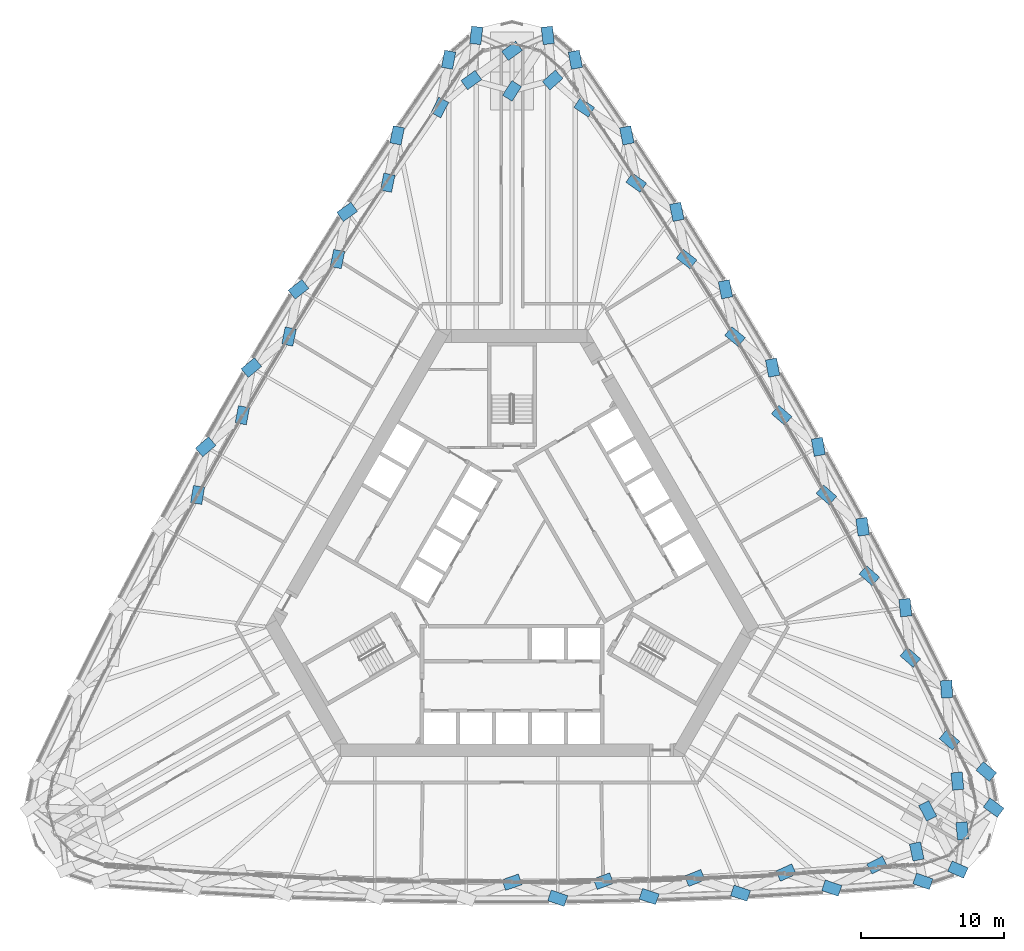
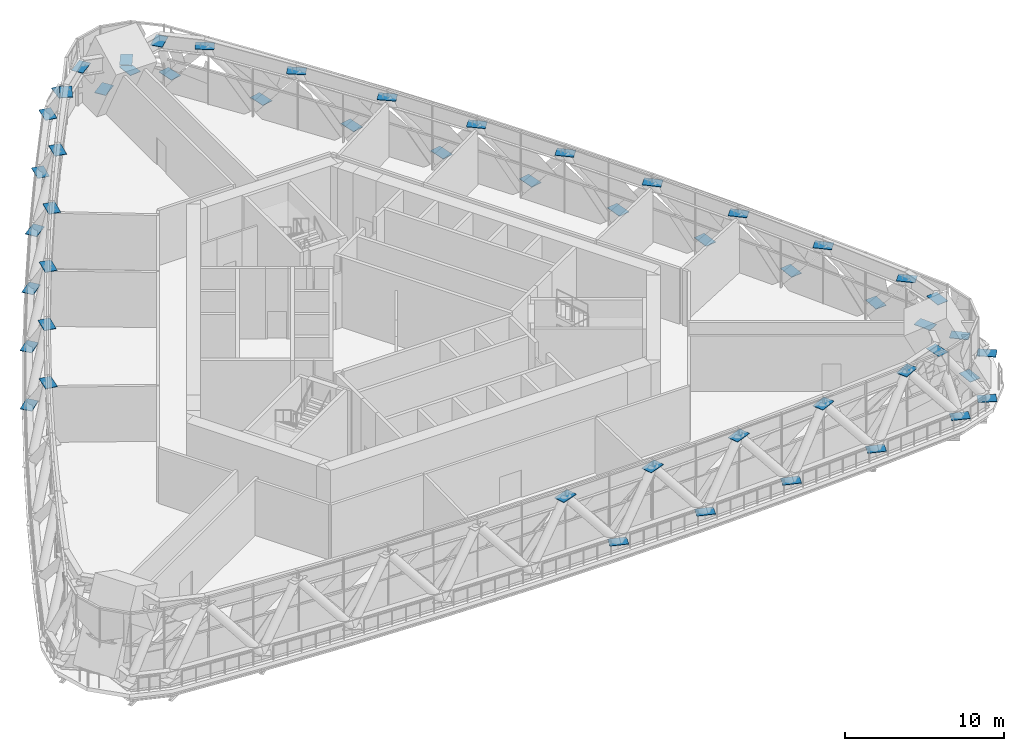
# One storey, part 32 of 43: 53 discrete accessories.
"""IFC4 building model written with IfcOpenShell, lengths in metres."""

from ifc_helpers import new_model, si_unit, direction, frame, origin, place, context, subcontext, project, spatial, polyline, outline, extrude, material, layer, layer_set, type_object, element, save


model = new_model("IFC4")

# Units and contexts
model_context = context("Model", 3, precision=1e-05, world=origin(), true_north=direction((0.0, 1.0)))
body_context = subcontext(model_context, "Body", "Model", "MODEL_VIEW")
ifc_project = project(units=[si_unit("LENGTHUNIT", "METRE"), si_unit("AREAUNIT", "SQUARE_METRE"), si_unit("VOLUMEUNIT", "CUBIC_METRE"), si_unit("PLANEANGLEUNIT", "RADIAN"), si_unit("MASSUNIT", "GRAM", prefix="KILO")], contexts=[model_context])

# Site, building, storey
site_placement = place(None, origin())
site = spatial("IfcSite", under=ifc_project, at=site_placement, CompositionType="ELEMENT")
building_placement = place(site_placement, origin())
building = spatial("IfcBuilding", under=site, at=building_placement, Name="Mestral Congress Tower", CompositionType="ELEMENT")
storey_placement = place(building_placement, frame((0.0, 0.0, 78.300048828125)))
storey = spatial("IfcBuildingStorey", under=building, at=storey_placement, Name="L18", CompositionType="ELEMENT", Elevation=78.300048828125)

# Discrete accessories
ifc_material = material(Name="Steel S355", Category="steel")
ifc_layer = layer(ifc_material, 0.034912109375)
ifc_layer_set = layer_set([ifc_layer], Name="Steel S355")
discrete_accessory_type = type_object("IfcDiscreteAccessoryType", Name="Brace end gusset plate 35 S355", PredefinedType="BRACKET", material=ifc_layer_set)
placement_1 = place(storey_placement, frame((0.0, 0.0, 4.532470703125)))
element("IfcDiscreteAccessory", 1, at=placement_1, inside=storey, type_object=discrete_accessory_type, Name="Brace end gusset plate 35 S355", PredefinedType="BRACKET", context=body_context, shape_type="SweptSolid", body=[
    extrude(outline(polyline([(-21.71875, 4.650146484375), (-21.516845703125, 5.853271484375), (-22.298828125, 5.984619140625), (-22.500732421875, 4.781494140625), (-21.71875, 4.650146484375)])), origin(), (0.0, 0.0, 1.0), 0.034912109375),
])
placement_2 = place(storey_placement, frame((0.0, 0.0, 0.58251953125)))
element("IfcDiscreteAccessory", 2, at=placement_2, inside=storey, type_object=discrete_accessory_type, Name="Brace end gusset plate 35 S355", PredefinedType="BRACKET", context=body_context, shape_type="SweptSolid", body=[
    extrude(outline(polyline([(-21.647216796875, 7.987060546875), (-20.722412109375, 8.78271484375), (-21.23974609375, 9.3837890625), (-22.164306640625, 8.587890625), (-21.647216796875, 7.987060546875)])), origin(), (0.0, 0.0, 1.0), 0.034912109375),
])
element("IfcDiscreteAccessory", 3, at=placement_1, inside=storey, type_object=discrete_accessory_type, Name="Brace end gusset plate 35 S355", PredefinedType="BRACKET", context=body_context, shape_type="SweptSolid", body=[
    extrude(outline(polyline([(-18.59765625, 10.2236328125), (-18.370849609375, 11.42236328125), (-19.150146484375, 11.56982421875), (-19.376953125, 10.37109375), (-18.59765625, 10.2236328125)])), origin(), (0.0, 0.0, 1.0), 0.034912109375),
])
element("IfcDiscreteAccessory", 4, at=placement_2, inside=storey, type_object=discrete_accessory_type, Name="Brace end gusset plate 35 S355", PredefinedType="BRACKET", context=body_context, shape_type="SweptSolid", body=[
    extrude(outline(polyline([(-18.461669921875, 13.53369140625), (-17.5205078125, 14.310302734375), (-18.025390625, 14.922119140625), (-18.96630859375, 14.1455078125), (-18.461669921875, 13.53369140625)])), origin(), (0.0, 0.0, 1.0), 0.034912109375),
])
element("IfcDiscreteAccessory", 5, at=placement_1, inside=storey, type_object=discrete_accessory_type, Name="Brace end gusset plate 35 S355", PredefinedType="BRACKET", context=body_context, shape_type="SweptSolid", body=[
    extrude(outline(polyline([(-15.34130859375, 15.72509765625), (-15.10009765625, 16.9208984375), (-15.877197265625, 17.077880859375), (-16.11865234375, 15.882080078125), (-15.34130859375, 15.72509765625)])), origin(), (0.0, 0.0, 1.0), 0.034912109375),
])
element("IfcDiscreteAccessory", 6, at=placement_2, inside=storey, type_object=discrete_accessory_type, Name="Brace end gusset plate 35 S355", PredefinedType="BRACKET", context=body_context, shape_type="SweptSolid", body=[
    extrude(outline(polyline([(-15.1796875, 19.022705078125), (-14.216796875, 19.771484375), (-14.703369140625, 20.397705078125), (-15.66650390625, 19.648681640625), (-15.1796875, 19.022705078125)])), origin(), (0.0, 0.0, 1.0), 0.034912109375),
])
element("IfcDiscreteAccessory", 7, at=placement_1, inside=storey, type_object=discrete_accessory_type, Name="Brace end gusset plate 35 S355", PredefinedType="BRACKET", context=body_context, shape_type="SweptSolid", body=[
    extrude(outline(polyline([(-11.951416015625, 21.15087890625), (-11.705810546875, 22.34619140625), (-12.482666015625, 22.505615234375), (-12.72802734375, 21.310546875), (-11.951416015625, 21.15087890625)])), origin(), (0.0, 0.0, 1.0), 0.034912109375),
])
element("IfcDiscreteAccessory", 8, at=placement_2, inside=storey, type_object=discrete_accessory_type, Name="Brace end gusset plate 35 S355", PredefinedType="BRACKET", context=body_context, shape_type="SweptSolid", body=[
    extrude(outline(polyline([(-11.802490234375, 24.452392578125), (-10.812255859375, 25.1650390625), (-11.275390625, 25.80859375), (-12.265625, 25.09619140625), (-11.802490234375, 24.452392578125)])), origin(), (0.0, 0.0, 1.0), 0.034912109375),
])
element("IfcDiscreteAccessory", 9, at=placement_1, inside=storey, type_object=discrete_accessory_type, Name="Brace end gusset plate 35 S355", PredefinedType="BRACKET", context=body_context, shape_type="SweptSolid", body=[
    extrude(outline(polyline([(-8.429443359375, 26.498291015625), (-8.1904296875, 27.69482421875), (-8.968017578125, 27.85009765625), (-9.20703125, 26.65380859375), (-8.429443359375, 26.498291015625)])), origin(), (0.0, 0.0, 1.0), 0.034912109375),
])
element("IfcDiscreteAccessory", 10, at=placement_2, inside=storey, type_object=discrete_accessory_type, Name="Brace end gusset plate 35 S355", PredefinedType="BRACKET", context=body_context, shape_type="SweptSolid", body=[
    extrude(outline(polyline([(-8.305908203125, 31.1630859375), (-8.544921875, 29.966796875), (-7.767333984375, 29.811279296875), (-7.5283203125, 31.0078125), (-8.305908203125, 31.1630859375)])), origin(), (0.0, 0.0, 1.0), 0.034912109375),
])
element("IfcDiscreteAccessory", 11, at=placement_1, inside=storey, type_object=discrete_accessory_type, Name="Brace end gusset plate 35 S355", PredefinedType="BRACKET", context=body_context, shape_type="SweptSolid", body=[
    extrude(outline(polyline([(-4.977783203125, 31.713134765625), (-4.427001953125, 32.8017578125), (-5.134765625, 33.159912109375), (-5.685546875, 32.0712890625), (-4.977783203125, 31.713134765625)])), origin(), (0.0, 0.0, 1.0), 0.034912109375),
])
element("IfcDiscreteAccessory", 12, at=placement_2, inside=storey, type_object=discrete_accessory_type, Name="Brace end gusset plate 35 S355", PredefinedType="BRACKET", context=body_context, shape_type="SweptSolid", body=[
    extrude(outline(polyline([(-4.714599609375, 36.4501953125), (-4.937255859375, 35.250732421875), (-4.157470703125, 35.106201171875), (-3.934814453125, 36.3056640625), (-4.714599609375, 36.4501953125)])), origin(), (0.0, 0.0, 1.0), 0.034912109375),
])
element("IfcDiscreteAccessory", 13, at=placement_1, inside=storey, type_object=discrete_accessory_type, Name="Brace end gusset plate 35 S355", PredefinedType="BRACKET", context=body_context, shape_type="SweptSolid", body=[
    extrude(outline(polyline([(-3.110107421875, 33.67919921875), (-2.118896484375, 34.390380859375), (-2.581298828125, 35.03466796875), (-3.572509765625, 34.323486328125), (-3.110107421875, 33.67919921875)])), origin(), (0.0, 0.0, 1.0), 0.034912109375),
])
element("IfcDiscreteAccessory", 14, at=placement_2, inside=storey, type_object=discrete_accessory_type, Name="Brace end gusset plate 35 S355", PredefinedType="BRACKET", context=body_context, shape_type="SweptSolid", body=[
    extrude(outline(polyline([(-2.830810546875, 38.13330078125), (-2.963623046875, 36.92041015625), (-2.175537109375, 36.834228515625), (-2.042724609375, 38.046875), (-2.830810546875, 38.13330078125)])), origin(), (0.0, 0.0, 1.0), 0.034912109375),
])
element("IfcDiscreteAccessory", 15, at=placement_1, inside=storey, type_object=discrete_accessory_type, Name="Brace end gusset plate 35 S355", PredefinedType="BRACKET", context=body_context, shape_type="SweptSolid", body=[
    extrude(outline(polyline([(0.44482421875, -21.218017578125), (-0.706787109375, -21.620849609375), (-0.44482421875, -22.369384765625), (0.706787109375, -21.96630859375), (0.44482421875, -21.218017578125)])), origin(), (0.0, 0.0, 1.0), 0.034912109375),
])
element("IfcDiscreteAccessory", 16, at=placement_1, inside=storey, type_object=discrete_accessory_type, Name="Brace end gusset plate 35 S355", PredefinedType="BRACKET", context=body_context, shape_type="SweptSolid", body=[
    extrude(outline(polyline([(0.0029296875, 32.87109375), (0.663818359375, 33.896484375), (-0.0029296875, 34.325927734375), (-0.663818359375, 33.300537109375), (0.0029296875, 32.87109375)])), origin(), (0.0, 0.0, 1.0), 0.034912109375),
])
element("IfcDiscreteAccessory", 17, at=placement_2, inside=storey, type_object=discrete_accessory_type, Name="Brace end gusset plate 35 S355", PredefinedType="BRACKET", context=body_context, shape_type="SweptSolid", body=[
    extrude(outline(polyline([(0.264404296875, 37.07666015625), (-0.726806640625, 36.365478515625), (-0.264404296875, 35.72119140625), (0.726806640625, 36.432373046875), (0.264404296875, 37.07666015625)])), origin(), (0.0, 0.0, 1.0), 0.034912109375),
])
element("IfcDiscreteAccessory", 18, at=placement_2, inside=storey, type_object=discrete_accessory_type, Name="Brace end gusset plate 35 S355", PredefinedType="BRACKET", context=body_context, shape_type="SweptSolid", body=[
    extrude(outline(polyline([(2.042724609375, 38.046875), (2.175537109375, 36.834228515625), (2.963623046875, 36.92041015625), (2.830810546875, 38.13330078125), (2.042724609375, 38.046875)])), origin(), (0.0, 0.0, 1.0), 0.034912109375),
])
element("IfcDiscreteAccessory", 19, at=placement_1, inside=storey, type_object=discrete_accessory_type, Name="Brace end gusset plate 35 S355", PredefinedType="BRACKET", context=body_context, shape_type="SweptSolid", body=[
    extrude(outline(polyline([(2.655029296875, 33.65478515625), (3.564697265625, 34.4677734375), (3.0361328125, 35.05908203125), (2.126708984375, 34.24609375), (2.655029296875, 33.65478515625)])), origin(), (0.0, 0.0, 1.0), 0.034912109375),
])
element("IfcDiscreteAccessory", 20, at=placement_2, inside=storey, type_object=discrete_accessory_type, Name="Brace end gusset plate 35 S355", PredefinedType="BRACKET", context=body_context, shape_type="SweptSolid", body=[
    extrude(outline(polyline([(3.90673828125, -22.740478515625), (2.755126953125, -22.33740234375), (2.493408203125, -23.0859375), (3.644775390625, -23.489013671875), (3.90673828125, -22.740478515625)])), origin(), (0.0, 0.0, 1.0), 0.034912109375),
])
element("IfcDiscreteAccessory", 21, at=placement_2, inside=storey, type_object=discrete_accessory_type, Name="Brace end gusset plate 35 S355", PredefinedType="BRACKET", context=body_context, shape_type="SweptSolid", body=[
    extrude(outline(polyline([(3.934814453125, 36.3056640625), (4.157470703125, 35.106201171875), (4.937255859375, 35.250732421875), (4.714599609375, 36.4501953125), (3.934814453125, 36.3056640625)])), origin(), (0.0, 0.0, 1.0), 0.034912109375),
])
element("IfcDiscreteAccessory", 22, at=placement_1, inside=storey, type_object=discrete_accessory_type, Name="Brace end gusset plate 35 S355", PredefinedType="BRACKET", context=body_context, shape_type="SweptSolid", body=[
    extrude(outline(polyline([(4.328857421875, 32.438720703125), (5.349853515625, 31.770751953125), (5.78369140625, 32.434326171875), (4.7626953125, 33.102294921875), (4.328857421875, 32.438720703125)])), origin(), (0.0, 0.0, 1.0), 0.034912109375),
])
element("IfcDiscreteAccessory", 23, at=placement_1, inside=storey, type_object=discrete_accessory_type, Name="Brace end gusset plate 35 S355", PredefinedType="BRACKET", context=body_context, shape_type="SweptSolid", body=[
    extrude(outline(polyline([(6.832275390625, -21.134033203125), (5.689208984375, -21.560791015625), (5.966552734375, -22.3037109375), (7.109619140625, -21.876953125), (6.832275390625, -21.134033203125)])), origin(), (0.0, 0.0, 1.0), 0.034912109375),
])
element("IfcDiscreteAccessory", 24, at=placement_2, inside=storey, type_object=discrete_accessory_type, Name="Brace end gusset plate 35 S355", PredefinedType="BRACKET", context=body_context, shape_type="SweptSolid", body=[
    extrude(outline(polyline([(7.5283203125, 31.0078125), (7.767333984375, 29.811279296875), (8.544921875, 29.966796875), (8.305908203125, 31.1630859375), (7.5283203125, 31.0078125)])), origin(), (0.0, 0.0, 1.0), 0.034912109375),
])
element("IfcDiscreteAccessory", 25, at=placement_1, inside=storey, type_object=discrete_accessory_type, Name="Brace end gusset plate 35 S355", PredefinedType="BRACKET", context=body_context, shape_type="SweptSolid", body=[
    extrude(outline(polyline([(7.971923828125, 27.208740234375), (8.96240234375, 26.49609375), (9.42529296875, 27.139892578125), (8.43505859375, 27.852294921875), (7.971923828125, 27.208740234375)])), origin(), (0.0, 0.0, 1.0), 0.034912109375),
])
element("IfcDiscreteAccessory", 26, at=placement_2, inside=storey, type_object=discrete_accessory_type, Name="Brace end gusset plate 35 S355", PredefinedType="BRACKET", context=body_context, shape_type="SweptSolid", body=[
    extrude(outline(polyline([(10.303466796875, -22.613525390625), (9.14697265625, -22.224609375), (8.894287109375, -22.976318359375), (10.050537109375, -23.365234375), (10.303466796875, -22.613525390625)])), origin(), (0.0, 0.0, 1.0), 0.034912109375),
])
element("IfcDiscreteAccessory", 27, at=placement_2, inside=storey, type_object=discrete_accessory_type, Name="Brace end gusset plate 35 S355", PredefinedType="BRACKET", context=body_context, shape_type="SweptSolid", body=[
    extrude(outline(polyline([(11.02783203125, 25.6484375), (11.273193359375, 24.453369140625), (12.050048828125, 24.61279296875), (11.8046875, 25.807861328125), (11.02783203125, 25.6484375)])), origin(), (0.0, 0.0, 1.0), 0.034912109375),
])
element("IfcDiscreteAccessory", 28, at=placement_1, inside=storey, type_object=discrete_accessory_type, Name="Brace end gusset plate 35 S355", PredefinedType="BRACKET", context=body_context, shape_type="SweptSolid", body=[
    extrude(outline(polyline([(11.4921875, 21.8896484375), (12.455078125, 21.140869140625), (12.94189453125, 21.766845703125), (11.978759765625, 22.515625), (11.4921875, 21.8896484375)])), origin(), (0.0, 0.0, 1.0), 0.034912109375),
])
element("IfcDiscreteAccessory", 29, at=placement_1, inside=storey, type_object=discrete_accessory_type, Name="Brace end gusset plate 35 S355", PredefinedType="BRACKET", context=body_context, shape_type="SweptSolid", body=[
    extrude(outline(polyline([(13.2109375, -20.897216796875), (12.080810546875, -21.35693359375), (12.379638671875, -22.091552734375), (13.509765625, -21.6318359375), (13.2109375, -20.897216796875)])), origin(), (0.0, 0.0, 1.0), 0.034912109375),
])
element("IfcDiscreteAccessory", 30, at=placement_2, inside=storey, type_object=discrete_accessory_type, Name="Brace end gusset plate 35 S355", PredefinedType="BRACKET", context=body_context, shape_type="SweptSolid", body=[
    extrude(outline(polyline([(14.432373046875, 20.229736328125), (14.673583984375, 19.03369140625), (15.450927734375, 19.190673828125), (15.209716796875, 20.38671875), (14.432373046875, 20.229736328125)])), origin(), (0.0, 0.0, 1.0), 0.034912109375),
])
element("IfcDiscreteAccessory", 31, at=placement_1, inside=storey, type_object=discrete_accessory_type, Name="Brace end gusset plate 35 S355", PredefinedType="BRACKET", context=body_context, shape_type="SweptSolid", body=[
    extrude(outline(polyline([(14.886474609375, 16.48388671875), (15.827392578125, 15.70751953125), (16.332275390625, 16.319091796875), (15.39111328125, 17.095703125), (14.886474609375, 16.48388671875)])), origin(), (0.0, 0.0, 1.0), 0.034912109375),
])
element("IfcDiscreteAccessory", 32, at=placement_2, inside=storey, type_object=discrete_accessory_type, Name="Brace end gusset plate 35 S355", PredefinedType="BRACKET", context=body_context, shape_type="SweptSolid", body=[
    extrude(outline(polyline([(16.6982421875, -22.374755859375), (15.54052734375, -21.989501953125), (15.290283203125, -22.7421875), (16.447998046875, -23.127197265625), (16.6982421875, -22.374755859375)])), origin(), (0.0, 0.0, 1.0), 0.034912109375),
])
element("IfcDiscreteAccessory", 33, at=placement_2, inside=storey, type_object=discrete_accessory_type, Name="Brace end gusset plate 35 S355", PredefinedType="BRACKET", context=body_context, shape_type="SweptSolid", body=[
    extrude(outline(polyline([(17.740478515625, 14.75341796875), (17.96728515625, 13.5546875), (18.74658203125, 13.702392578125), (18.519775390625, 14.90087890625), (17.740478515625, 14.75341796875)])), origin(), (0.0, 0.0, 1.0), 0.034912109375),
])
element("IfcDiscreteAccessory", 34, at=placement_1, inside=storey, type_object=discrete_accessory_type, Name="Brace end gusset plate 35 S355", PredefinedType="BRACKET", context=body_context, shape_type="SweptSolid", body=[
    extrude(outline(polyline([(18.15283203125, 10.994140625), (19.07763671875, 10.198486328125), (19.594970703125, 10.79931640625), (18.670166015625, 11.59521484375), (18.15283203125, 10.994140625)])), origin(), (0.0, 0.0, 1.0), 0.034912109375),
])
element("IfcDiscreteAccessory", 35, at=placement_1, inside=storey, type_object=discrete_accessory_type, Name="Brace end gusset plate 35 S355", PredefinedType="BRACKET", context=body_context, shape_type="SweptSolid", body=[
    extrude(outline(polyline([(19.577392578125, -20.50830078125), (18.465087890625, -21.009521484375), (18.791015625, -21.732666015625), (19.9033203125, -21.231201171875), (19.577392578125, -20.50830078125)])), origin(), (0.0, 0.0, 1.0), 0.034912109375),
])
element("IfcDiscreteAccessory", 36, at=placement_2, inside=storey, type_object=discrete_accessory_type, Name="Brace end gusset plate 35 S355", PredefinedType="BRACKET", context=body_context, shape_type="SweptSolid", body=[
    extrude(outline(polyline([(20.951416015625, 9.22119140625), (21.1533203125, 8.018310546875), (21.935302734375, 8.1494140625), (21.7333984375, 9.3525390625), (20.951416015625, 9.22119140625)])), origin(), (0.0, 0.0, 1.0), 0.034912109375),
])
element("IfcDiscreteAccessory", 37, at=placement_1, inside=storey, type_object=discrete_accessory_type, Name="Brace end gusset plate 35 S355", PredefinedType="BRACKET", context=body_context, shape_type="SweptSolid", body=[
    extrude(outline(polyline([(21.2890625, 5.423583984375), (22.2041015625, 4.616455078125), (22.728515625, 5.211181640625), (21.813720703125, 6.018310546875), (21.2890625, 5.423583984375)])), origin(), (0.0, 0.0, 1.0), 0.034912109375),
])
element("IfcDiscreteAccessory", 38, at=placement_2, inside=storey, type_object=discrete_accessory_type, Name="Brace end gusset plate 35 S355", PredefinedType="BRACKET", context=body_context, shape_type="SweptSolid", body=[
    extrude(outline(polyline([(23.08935546875, -22.023681640625), (21.93359375, -21.632568359375), (21.679443359375, -22.383544921875), (22.835205078125, -22.774658203125), (23.08935546875, -22.023681640625)])), origin(), (0.0, 0.0, 1.0), 0.034912109375),
])
element("IfcDiscreteAccessory", 39, at=placement_2, inside=storey, type_object=discrete_accessory_type, Name="Brace end gusset plate 35 S355", PredefinedType="BRACKET", context=body_context, shape_type="SweptSolid", body=[
    extrude(outline(polyline([(24.064208984375, 3.634765625), (24.23095703125, 2.42626953125), (25.0166015625, 2.53466796875), (24.849853515625, 3.7431640625), (24.064208984375, 3.634765625)])), origin(), (0.0, 0.0, 1.0), 0.034912109375),
])
element("IfcDiscreteAccessory", 40, at=placement_1, inside=storey, type_object=discrete_accessory_type, Name="Brace end gusset plate 35 S355", PredefinedType="BRACKET", context=body_context, shape_type="SweptSolid", body=[
    extrude(outline(polyline([(24.29296875, -0.225341796875), (25.205078125, -1.035400390625), (25.731689453125, -0.4423828125), (24.8193359375, 0.36767578125), (24.29296875, -0.225341796875)])), origin(), (0.0, 0.0, 1.0), 0.034912109375),
])
element("IfcDiscreteAccessory", 41, at=placement_1, inside=storey, type_object=discrete_accessory_type, Name="Brace end gusset plate 35 S355", PredefinedType="BRACKET", context=body_context, shape_type="SweptSolid", body=[
    extrude(outline(polyline([(25.92822265625, -19.96826171875), (24.83935546875, -20.5185546875), (25.197021484375, -21.226318359375), (26.285888671875, -20.67578125), (25.92822265625, -19.96826171875)])), origin(), (0.0, 0.0, 1.0), 0.034912109375),
])
element("IfcDiscreteAccessory", 42, at=placement_2, inside=storey, type_object=discrete_accessory_type, Name="Brace end gusset plate 35 S355", PredefinedType="BRACKET", context=body_context, shape_type="SweptSolid", body=[
    extrude(outline(polyline([(27.077880859375, -2.0048828125), (27.19970703125, -3.218994140625), (27.98876953125, -3.1396484375), (27.866943359375, -1.92578125), (27.077880859375, -2.0048828125)])), origin(), (0.0, 0.0, 1.0), 0.034912109375),
])
element("IfcDiscreteAccessory", 43, at=placement_1, inside=storey, type_object=discrete_accessory_type, Name="Brace end gusset plate 35 S355", PredefinedType="BRACKET", context=body_context, shape_type="SweptSolid", body=[
    extrude(outline(polyline([(27.162841796875, -5.94921875), (28.07958984375, -6.75439453125), (28.602783203125, -6.158447265625), (27.686279296875, -5.353271484375), (27.162841796875, -5.94921875)])), origin(), (0.0, 0.0, 1.0), 0.034912109375),
])
element("IfcDiscreteAccessory", 44, at=placement_1, inside=storey, type_object=discrete_accessory_type, Name="Brace end gusset plate 35 S355", PredefinedType="BRACKET", context=body_context, shape_type="SweptSolid", body=[
    extrude(outline(polyline([(27.818603515625, -19.126708984375), (28.067626953125, -20.32080078125), (28.843994140625, -20.158935546875), (28.5947265625, -18.964599609375), (27.818603515625, -19.126708984375)])), origin(), (0.0, 0.0, 1.0), 0.034912109375),
])
element("IfcDiscreteAccessory", 45, at=placement_2, inside=storey, type_object=discrete_accessory_type, Name="Brace end gusset plate 35 S355", PredefinedType="BRACKET", context=body_context, shape_type="SweptSolid", body=[
    extrude(outline(polyline([(29.47412109375, -21.560546875), (28.323974609375, -21.153564453125), (28.0595703125, -21.901123046875), (29.209716796875, -22.30810546875), (29.47412109375, -21.560546875)])), origin(), (0.0, 0.0, 1.0), 0.034912109375),
])
element("IfcDiscreteAccessory", 46, at=placement_1, inside=storey, type_object=discrete_accessory_type, Name="Brace end gusset plate 35 S355", PredefinedType="BRACKET", context=body_context, shape_type="SweptSolid", body=[
    extrude(outline(polyline([(28.4658203125, -16.43798828125), (29.0234375, -17.523193359375), (29.728759765625, -17.160400390625), (29.1708984375, -16.075439453125), (28.4658203125, -16.43798828125)])), origin(), (0.0, 0.0, 1.0), 0.034912109375),
])
element("IfcDiscreteAccessory", 47, at=placement_2, inside=storey, type_object=discrete_accessory_type, Name="Brace end gusset plate 35 S355", PredefinedType="BRACKET", context=body_context, shape_type="SweptSolid", body=[
    extrude(outline(polyline([(29.9912109375, -7.696533203125), (30.05908203125, -8.914794921875), (30.850830078125, -8.87060546875), (30.783203125, -7.652587890625), (29.9912109375, -7.696533203125)])), origin(), (0.0, 0.0, 1.0), 0.034912109375),
])
element("IfcDiscreteAccessory", 48, at=placement_1, inside=storey, type_object=discrete_accessory_type, Name="Brace end gusset plate 35 S355", PredefinedType="BRACKET", context=body_context, shape_type="SweptSolid", body=[
    extrude(outline(polyline([(29.897705078125, -11.744384765625), (30.8251953125, -12.537109375), (31.34033203125, -11.934326171875), (30.412841796875, -11.1416015625), (29.897705078125, -11.744384765625)])), origin(), (0.0, 0.0, 1.0), 0.034912109375),
])
element("IfcDiscreteAccessory", 49, at=placement_2, inside=storey, type_object=discrete_accessory_type, Name="Brace end gusset plate 35 S355", PredefinedType="BRACKET", context=body_context, shape_type="SweptSolid", body=[
    extrude(outline(polyline([(31.92822265625, -20.79248046875), (30.8115234375, -20.301025390625), (30.4921875, -21.02685546875), (31.60888671875, -21.518310546875), (31.92822265625, -20.79248046875)])), origin(), (0.0, 0.0, 1.0), 0.034912109375),
])
element("IfcDiscreteAccessory", 50, at=placement_1, inside=storey, type_object=discrete_accessory_type, Name="Brace end gusset plate 35 S355", PredefinedType="BRACKET", context=body_context, shape_type="SweptSolid", body=[
    extrude(outline(polyline([(30.721923828125, -14.146240234375), (30.84228515625, -15.360107421875), (31.631591796875, -15.281982421875), (31.51123046875, -14.068115234375), (30.721923828125, -14.146240234375)])), origin(), (0.0, 0.0, 1.0), 0.034912109375),
])
element("IfcDiscreteAccessory", 51, at=placement_2, inside=storey, type_object=discrete_accessory_type, Name="Brace end gusset plate 35 S355", PredefinedType="BRACKET", context=body_context, shape_type="SweptSolid", body=[
    extrude(outline(polyline([(31.977294921875, -18.767333984375), (31.856689453125, -17.553466796875), (31.067626953125, -17.631591796875), (31.18798828125, -18.845703125), (31.977294921875, -18.767333984375)])), origin(), (0.0, 0.0, 1.0), 0.034912109375),
])
element("IfcDiscreteAccessory", 52, at=placement_2, inside=storey, type_object=discrete_accessory_type, Name="Brace end gusset plate 35 S355", PredefinedType="BRACKET", context=body_context, shape_type="SweptSolid", body=[
    extrude(outline(polyline([(33.924072265625, -14.142333984375), (32.99658203125, -13.349609375), (32.4814453125, -13.952392578125), (33.408935546875, -14.7451171875), (33.924072265625, -14.142333984375)])), origin(), (0.0, 0.0, 1.0), 0.034912109375),
])
element("IfcDiscreteAccessory", 53, at=placement_2, inside=storey, type_object=discrete_accessory_type, Name="Brace end gusset plate 35 S355", PredefinedType="BRACKET", context=body_context, shape_type="SweptSolid", body=[
    extrude(outline(polyline([(34.439697265625, -16.614990234375), (33.455810546875, -15.8935546875), (32.987060546875, -16.533203125), (33.970947265625, -17.25439453125), (34.439697265625, -16.614990234375)])), origin(), (0.0, 0.0, 1.0), 0.034912109375),
])

save(model, "model.ifc")
